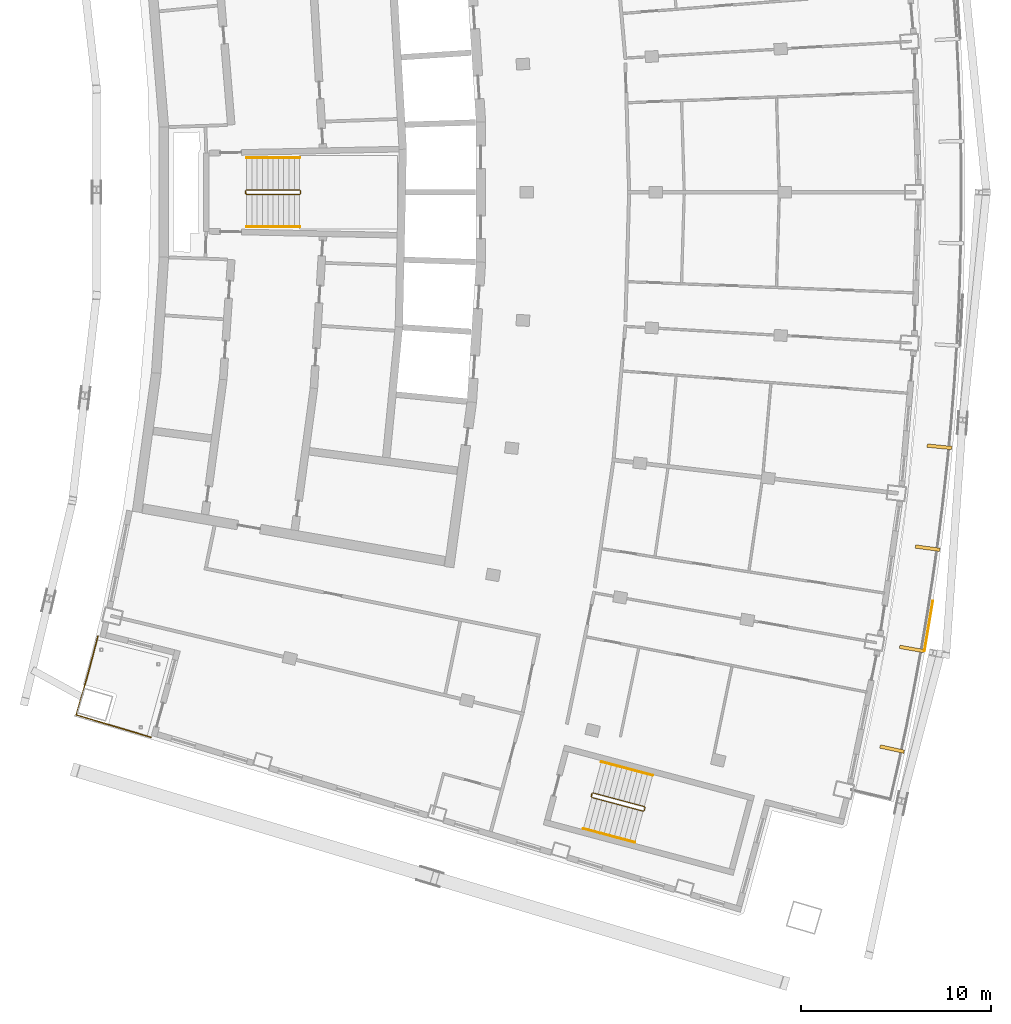
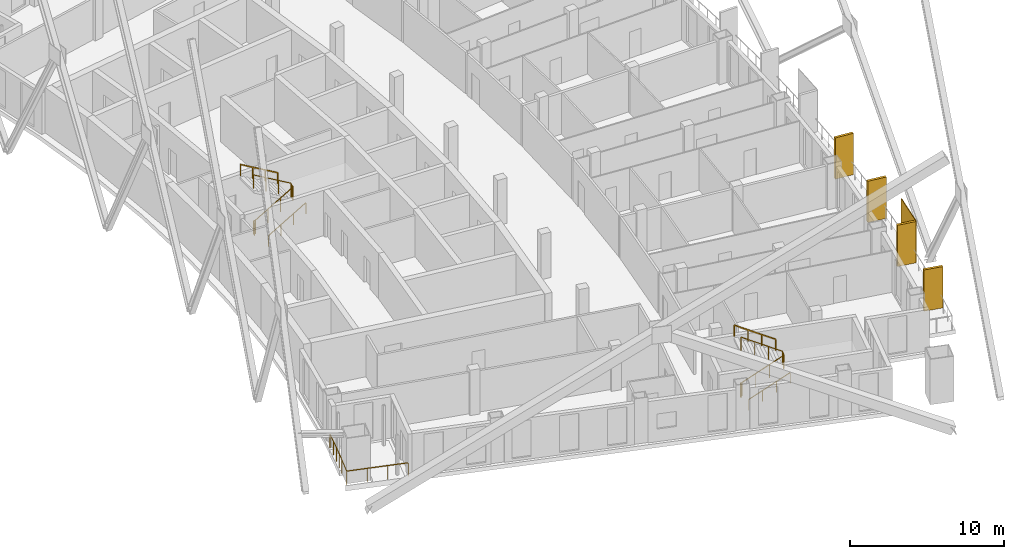
# One storey, part 19 of 21: 7 railings, 5 shading devices.
"""IFC4 building model written with IfcOpenShell, lengths in metres."""

from ifc_helpers import new_model, si_unit, direction, frame, origin, origin_with_axes, origin_2d, place, context, subcontext, project, spatial, rectangle, extrude, material, layer, layer_set, type_object, element, save


model = new_model("IFC4")

# Units and contexts
model_context = context("Model", 3, precision=1e-05, world=origin(), true_north=direction((0.0, 1.0)))
body_context = subcontext(model_context, "Body", "Model", "MODEL_VIEW")
ifc_project = project(units=[si_unit("LENGTHUNIT", "METRE"), si_unit("AREAUNIT", "SQUARE_METRE"), si_unit("VOLUMEUNIT", "CUBIC_METRE"), si_unit("PLANEANGLEUNIT", "RADIAN"), si_unit("MASSUNIT", "GRAM", prefix="KILO")], contexts=[model_context])

# Site, building, storey
site_placement = place(None, origin())
site = spatial("IfcSite", under=ifc_project, at=site_placement, CompositionType="ELEMENT")
building_placement = place(site_placement, origin())
building = spatial("IfcBuilding", under=site, at=building_placement, Name="Alderwake Tower", CompositionType="ELEMENT")
storey_placement = place(building_placement, frame((0.0, 0.0, 267.199951171875)))
storey = spatial("IfcBuildingStorey", under=building, at=storey_placement, Name="L66", CompositionType="ELEMENT", Elevation=267.199951171875)

# Railing
ifc_material_1 = material(Name="Stainless steel 316 rail and posts", Category="steel")
railing_type_1 = type_object("IfcRailingType", Name="Balcony guard 1100", PredefinedType="GUARDRAIL", material=ifc_material_1)
railing_1_placement = place(storey_placement, frame((13.210693359375, 37.612548828125, 0.0)))
element("IfcRailing", 1, at=railing_1_placement, inside=storey, type_object=railing_type_1, Name="Guard terrace RS", PredefinedType="GUARDRAIL", context=body_context, shape_type="SweptSolid", body=[
    extrude(rectangle(XDim=0.048095703125, YDim=0.048095703125, at=origin_2d()), frame((0.0, 0.0, 1.076171875), z_axis=(-0.251385381433, -0.967887075026, 0.0), x_axis=(0.967887075026, -0.251385381433, 0.0)), (0.0, 0.0, 1.0), 1.6015625),
    extrude(rectangle(XDim=0.048095703125, YDim=0.048095703125, at=origin_2d()), frame((-0.402587890625, -1.550048828125, 1.076171875), z_axis=(-0.266520638672, -0.963829211615, 0.0), x_axis=(0.963829211615, -0.266520638672, 0.0)), (0.0, 0.0, 1.0), 1.401611328125),
    extrude(rectangle(XDim=0.048095703125, YDim=0.048095703125, at=origin_2d()), frame((-0.776123046875, -2.90087890625, 1.076171875), z_axis=(-0.280093650878, -0.959972680204, 0.0), x_axis=(0.959972680204, -0.280093650878, 0.0)), (0.0, 0.0, 1.0), 1.30126953125),
    extrude(rectangle(XDim=0.048095703125, YDim=0.048095703125, at=origin_2d()), frame((-1.140625, -4.150146484375, 1.076171875), z_axis=(0.958066871889, -0.286544706789, 0.0), x_axis=(0.286544706789, 0.958066871889, 0.0)), (0.0, 0.0, 1.0), 4.099853515625),
    extrude(rectangle(XDim=0.0419921875, YDim=0.0419921875, at=origin_2d()), frame((0.0, 0.0, 0.0), z_axis=(0.0, 0.0, 1.0), x_axis=(-0.251385381433, -0.967887075026, 0.0)), (0.0, 0.0, 1.0), 1.052001953125),
    extrude(rectangle(XDim=0.0419921875, YDim=0.0419921875, at=origin_2d()), frame((-0.201171875, -0.77490234375, 0.0), z_axis=(0.0, 0.0, 1.0), x_axis=(-0.251385381433, -0.967887075026, 0.0)), (0.0, 0.0, 1.0), 1.052001953125),
    extrude(rectangle(XDim=0.0419921875, YDim=0.0419921875, at=origin_2d()), frame((-0.402587890625, -1.550048828125, 0.0), z_axis=(0.0, 0.0, 1.0), x_axis=(-0.266520638672, -0.963829211615, 0.0)), (0.0, 0.0, 1.0), 1.052001953125),
    extrude(rectangle(XDim=0.0419921875, YDim=0.0419921875, at=origin_2d()), frame((-0.58935546875, -2.2255859375, 0.0), z_axis=(0.0, 0.0, 1.0), x_axis=(-0.266520638672, -0.963829211615, 0.0)), (0.0, 0.0, 1.0), 1.052001953125),
    extrude(rectangle(XDim=0.0419921875, YDim=0.0419921875, at=origin_2d()), frame((-0.776123046875, -2.90087890625, 0.0), z_axis=(0.0, 0.0, 1.0), x_axis=(-0.280093650878, -0.959972680204, 0.0)), (0.0, 0.0, 1.0), 1.052001953125),
    extrude(rectangle(XDim=0.0419921875, YDim=0.0419921875, at=origin_2d()), frame((-1.140625, -4.150146484375, 0.0), z_axis=(0.0, 0.0, 1.0), x_axis=(0.958066871889, -0.286544706789, 0.0)), (0.0, 0.0, 1.0), 1.052001953125),
    extrude(rectangle(XDim=0.0419921875, YDim=0.0419921875, at=origin_2d()), frame((0.168701171875, -4.541748046875, 0.0), z_axis=(0.0, 0.0, 1.0), x_axis=(0.958066871889, -0.286544706789, 0.0)), (0.0, 0.0, 1.0), 1.052001953125),
    extrude(rectangle(XDim=0.0419921875, YDim=0.0419921875, at=origin_2d()), frame((1.47802734375, -4.933349609375, 0.0), z_axis=(0.0, 0.0, 1.0), x_axis=(0.958066871889, -0.286544706789, 0.0)), (0.0, 0.0, 1.0), 1.052001953125),
    extrude(rectangle(XDim=0.0419921875, YDim=0.0419921875, at=origin_2d()), frame((2.787353515625, -5.324951171875, 0.0), z_axis=(0.0, 0.0, 1.0), x_axis=(0.958066871889, -0.286544706789, 0.0)), (0.0, 0.0, 1.0), 1.052001953125),
])

# Shading devices
ifc_material_2 = material(Name="Bronze anodised aluminium", Category="aluminium")
ifc_layer_1 = layer(ifc_material_2, 0.179931640625)
ifc_layer_set_1 = layer_set([ifc_layer_1], Name="Facade fin 1300")
shading_device_type_1 = type_object("IfcShadingDeviceType", Name="Facade fin 1300", PredefinedType="USERDEFINED", material=ifc_layer_set_1)
for number, where, z_axis, x_axis, name in (
    (2, (55.050537109375, 31.663818359375, 0.0), (0.0, 0.0, 1.0), (0.977210363881, -0.212273184185, 0.0), "Fin"),
    (3, (56.089111328125, 36.938232421875, 0.0), (0.0, 0.0, 1.0), (0.984726421654, -0.174108800747, 0.0), "Fin"),
    (4, (56.922119140625, 42.2490234375, 0.0), (0.0, 0.0, 1.0), (0.990752577235, -0.135680988728, 0.0), "Fin"),
    (5, (57.547607421875, 47.588134765625, 0.0), (0.0, 0.0, 1.0), (0.995279882363, -0.097046152751, 0.0), "Fin"),
):
    element("IfcShadingDevice", number, at=place(storey_placement, frame(where, z_axis=z_axis, x_axis=x_axis)), inside=storey, type_object=shading_device_type_1, Name=name, ObjectType="FIN", PredefinedType="USERDEFINED", context=body_context, shape_type="SweptSolid", body=[
        extrude(rectangle(XDim=1.300048828125, YDim=0.179931640625, at=origin_2d()), origin(), (0.0, 0.0, 1.0), 3.280029296875),
    ])
ifc_material_3 = material(Name="Perforated bronze anodised aluminium", Category="aluminium")
ifc_layer_2 = layer(ifc_material_3, 0.050048828125)
ifc_layer_set_2 = layer_set([ifc_layer_2], Name="Perforated screen panel")
shading_device_type_2 = type_object("IfcShadingDeviceType", Name="Perforated screen panel", PredefinedType="USERDEFINED", material=ifc_layer_set_2)
shading_device_placement = place(storey_placement, frame((56.9755859375, 38.1494140625, 0.0), z_axis=(0.0, 0.0, 1.0), x_axis=(0.986369013299, -0.164548380739, 0.0)))
element("IfcShadingDevice", 6, at=shading_device_placement, inside=storey, type_object=shading_device_type_2, Name="Screen panel", ObjectType="SCREEN", PredefinedType="USERDEFINED", context=body_context, shape_type="SweptSolid", body=[
    extrude(rectangle(XDim=0.050048828125, YDim=2.694091796875, at=origin_2d()), origin(), (0.0, 0.0, 1.0), 3.280029296875),
])

# Railings
ifc_material_4 = material(Name="Stainless steel guard", Category="steel")
railing_type_2 = type_object("IfcRailingType", Name="Stair guard 1100", PredefinedType="GUARDRAIL", material=ifc_material_4)
railing_2_placement = place(storey_placement, frame((20.989990234375, 60.925048828125, 0.0)))
element("IfcRailing", 7, at=railing_2_placement, inside=storey, type_object=railing_type_2, Name="L66 ST-B stair guard 1", PredefinedType="GUARDRAIL", context=body_context, shape_type="SweptSolid", body=[
    extrude(rectangle(XDim=0.048095703125, YDim=0.048095703125, at=origin_2d()), frame((0.0, 0.0, 1.076171875), z_axis=(0.0, 1.0, 0.0), x_axis=(-1.0, 0.0, 0.0)), (0.0, 0.0, 1.0), 0.14990234375),
    extrude(rectangle(XDim=0.048095703125, YDim=0.048095703125, at=origin_2d()), frame((0.0, 0.14990234375, 1.076171875), z_axis=(0.190199549216, -0.759870394187, 0.621627795), x_axis=(0.970072785993, 0.242814311512, 0.0)), (0.0, 0.0, 1.0), 0.26318359375),
    extrude(rectangle(XDim=0.048095703125, YDim=0.048095703125, at=origin_2d()), frame((0.050048828125, -0.050048828125, 1.23974609375), z_axis=(0.863360870873, 0.0, 0.504586966384), x_axis=(0.0, 1.0, 0.0)), (0.0, 0.0, 1.0), 3.2431640625),
    extrude(rectangle(XDim=0.048095703125, YDim=0.048095703125, at=origin_2d()), frame((2.85009765625, -0.050048828125, 2.8759765625), z_axis=(0.705375805398, 0.708833529934, 0.0), x_axis=(-0.708833529934, 0.705375805398, 0.0)), (0.0, 0.0, 1.0), 0.070556640625),
    extrude(rectangle(XDim=0.048095703125, YDim=0.048095703125, at=origin_2d()), frame((2.89990234375, 0.0, 2.8759765625), z_axis=(0.0, 1.0, 0.0), x_axis=(-1.0, 0.0, 0.0)), (0.0, 0.0, 1.0), 0.14990234375),
    extrude(rectangle(XDim=0.048095703125, YDim=0.048095703125, at=origin_2d()), frame((2.89990234375, 0.14990234375, 2.8759765625), z_axis=(-0.279546231943, 0.280916556609, 0.91811752648), x_axis=(-0.708833529934, -0.705375805398, 0.0)), (0.0, 0.0, 1.0), 0.17822265625),
    extrude(rectangle(XDim=0.048095703125, YDim=0.048095703125, at=origin_2d()), frame((2.85009765625, 0.199951171875, 3.03955078125), z_axis=(-0.863360870873, 0.0, 0.504586966384), x_axis=(0.0, -1.0, 0.0)), (0.0, 0.0, 1.0), 3.2431640625),
    extrude(rectangle(XDim=0.0419921875, YDim=0.0419921875, at=origin_2d()), frame((0.0, 0.0, 0.0), z_axis=(0.0, 0.0, 1.0), x_axis=(0.0, 1.0, 0.0)), (0.0, 0.0, 1.0), 1.052001953125),
    extrude(rectangle(XDim=0.0419921875, YDim=0.0419921875, at=origin_2d()), frame((0.0, 0.14990234375, 0.0), z_axis=(0.0, 0.0, 1.0), x_axis=(0.242814311512, -0.970072785993, 0.0)), (0.0, 0.0, 1.0), 1.052001953125),
    extrude(rectangle(XDim=0.0419921875, YDim=0.0419921875, at=origin_2d()), frame((0.050048828125, -0.050048828125, 0.16357421875), z_axis=(0.0, 0.0, 1.0), x_axis=(1.0, 0.0, 0.0)), (0.0, 0.0, 1.0), 1.052001953125),
    extrude(rectangle(XDim=0.0419921875, YDim=0.0419921875, at=origin_2d()), frame((0.9833984375, -0.050048828125, 0.708984375), z_axis=(0.0, 0.0, 1.0), x_axis=(1.0, 0.0, 0.0)), (0.0, 0.0, 1.0), 1.052001953125),
    extrude(rectangle(XDim=0.0419921875, YDim=0.0419921875, at=origin_2d()), frame((1.916748046875, -0.050048828125, 1.254638671875), z_axis=(0.0, 0.0, 1.0), x_axis=(1.0, 0.0, 0.0)), (0.0, 0.0, 1.0), 1.052001953125),
    extrude(rectangle(XDim=0.0419921875, YDim=0.0419921875, at=origin_2d()), frame((2.85009765625, -0.050048828125, 1.800048828125), z_axis=(0.0, 0.0, 1.0), x_axis=(0.705375805398, 0.708833529934, 0.0)), (0.0, 0.0, 1.0), 1.052001953125),
    extrude(rectangle(XDim=0.0419921875, YDim=0.0419921875, at=origin_2d()), frame((2.89990234375, 0.0, 1.800048828125), z_axis=(0.0, 0.0, 1.0), x_axis=(0.0, 1.0, 0.0)), (0.0, 0.0, 1.0), 1.052001953125),
    extrude(rectangle(XDim=0.0419921875, YDim=0.0419921875, at=origin_2d()), frame((2.89990234375, 0.14990234375, 1.800048828125), z_axis=(0.0, 0.0, 1.0), x_axis=(-0.705375805398, 0.708833529934, 0.0)), (0.0, 0.0, 1.0), 1.052001953125),
    extrude(rectangle(XDim=0.0419921875, YDim=0.0419921875, at=origin_2d()), frame((2.85009765625, 0.199951171875, 1.963623046875), z_axis=(0.0, 0.0, 1.0), x_axis=(-1.0, 0.0, 0.0)), (0.0, 0.0, 1.0), 1.052001953125),
    extrude(rectangle(XDim=0.0419921875, YDim=0.0419921875, at=origin_2d()), frame((1.916748046875, 0.199951171875, 2.509033203125), z_axis=(0.0, 0.0, 1.0), x_axis=(-1.0, 0.0, 0.0)), (0.0, 0.0, 1.0), 1.052001953125),
    extrude(rectangle(XDim=0.0419921875, YDim=0.0419921875, at=origin_2d()), frame((0.9833984375, 0.199951171875, 3.0546875), z_axis=(0.0, 0.0, 1.0), x_axis=(-1.0, 0.0, 0.0)), (0.0, 0.0, 1.0), 1.052001953125),
    extrude(rectangle(XDim=0.0419921875, YDim=0.0419921875, at=origin_2d()), frame((0.050048828125, 0.199951171875, 3.60009765625), z_axis=(0.0, 0.0, 1.0), x_axis=(-1.0, 0.0, 0.0)), (0.0, 0.0, 1.0), 1.052001953125),
])
railing_3_placement = place(storey_placement, frame((39.1943359375, 29.17431640625, 0.0)))
element("IfcRailing", 8, at=railing_3_placement, inside=storey, type_object=railing_type_2, Name="L66 ST-C stair guard 1", PredefinedType="GUARDRAIL", context=body_context, shape_type="SweptSolid", body=[
    extrude(rectangle(XDim=0.048095703125, YDim=0.048095703125, at=origin_2d()), frame((0.0, 0.0, 1.076171875), z_axis=(0.257459803502, 0.966289009345, 0.0), x_axis=(-0.966289009345, 0.257459803502, 0.0)), (0.0, 0.0, 1.0), 0.14990234375),
    extrude(rectangle(XDim=0.048095703125, YDim=0.048095703125, at=origin_2d()), frame((0.03857421875, 0.144775390625, 1.076171875), z_axis=(-0.012062893862, -0.783160186125, 0.621702991355), x_axis=(0.999881397308, -0.015401016783, 0.0)), (0.0, 0.0, 1.0), 0.26318359375),
    extrude(rectangle(XDim=0.048095703125, YDim=0.048095703125, at=origin_2d()), frame((0.035400390625, -0.061279296875, 1.23974609375), z_axis=(0.834281824786, -0.222214197128, 0.504573768072), x_axis=(0.257380452725, 0.966310148221, 0.0)), (0.0, 0.0, 1.0), 3.2431640625),
    extrude(rectangle(XDim=0.048095703125, YDim=0.048095703125, at=origin_2d()), frame((2.7412109375, -0.781982421875, 2.8759765625), z_axis=(0.865031189262, 0.501718089772, 0.0), x_axis=(-0.501718089772, 0.865031189262, 0.0)), (0.0, 0.0, 1.0), 0.070556640625),
    extrude(rectangle(XDim=0.048095703125, YDim=0.048095703125, at=origin_2d()), frame((2.80224609375, -0.74658203125, 2.8759765625), z_axis=(0.257055032184, 0.966396766566, 0.0), x_axis=(-0.966396766566, 0.257055032184, 0.0)), (0.0, 0.0, 1.0), 0.150146484375),
    extrude(rectangle(XDim=0.048095703125, YDim=0.048095703125, at=origin_2d()), frame((2.8408203125, -0.6015625, 2.8759765625), z_axis=(-0.198625291617, 0.343827228937, 0.91778583023), x_axis=(-0.865898279276, -0.500220121494, 0.0)), (0.0, 0.0, 1.0), 0.17822265625),
    extrude(rectangle(XDim=0.048095703125, YDim=0.048095703125, at=origin_2d()), frame((2.805419921875, -0.540283203125, 3.03955078125), z_axis=(-0.834258940753, 0.22222815314, 0.504605457487), x_axis=(-0.257402139082, -0.966304371715, 0.0)), (0.0, 0.0, 1.0), 3.2431640625),
    extrude(rectangle(XDim=0.0419921875, YDim=0.0419921875, at=origin_2d()), frame((0.0, 0.0, 0.0), z_axis=(0.0, 0.0, 1.0), x_axis=(0.257459803502, 0.966289009345, 0.0)), (0.0, 0.0, 1.0), 1.052001953125),
    extrude(rectangle(XDim=0.0419921875, YDim=0.0419921875, at=origin_2d()), frame((0.03857421875, 0.144775390625, 0.0), z_axis=(0.0, 0.0, 1.0), x_axis=(-0.015401016783, -0.999881397308, 0.0)), (0.0, 0.0, 1.0), 1.052001953125),
    extrude(rectangle(XDim=0.0419921875, YDim=0.0419921875, at=origin_2d()), frame((0.035400390625, -0.061279296875, 0.16357421875), z_axis=(0.0, 0.0, 1.0), x_axis=(0.966310148221, -0.257380452725, 0.0)), (0.0, 0.0, 1.0), 1.052001953125),
    extrude(rectangle(XDim=0.0419921875, YDim=0.0419921875, at=origin_2d()), frame((0.937255859375, -0.301513671875, 0.708984375), z_axis=(0.0, 0.0, 1.0), x_axis=(0.966310148221, -0.257380452725, 0.0)), (0.0, 0.0, 1.0), 1.052001953125),
    extrude(rectangle(XDim=0.0419921875, YDim=0.0419921875, at=origin_2d()), frame((1.83935546875, -0.541748046875, 1.254638671875), z_axis=(0.0, 0.0, 1.0), x_axis=(0.966310148221, -0.257380452725, 0.0)), (0.0, 0.0, 1.0), 1.052001953125),
    extrude(rectangle(XDim=0.0419921875, YDim=0.0419921875, at=origin_2d()), frame((2.7412109375, -0.781982421875, 1.800048828125), z_axis=(0.0, 0.0, 1.0), x_axis=(0.865031189262, 0.501718089772, 0.0)), (0.0, 0.0, 1.0), 1.052001953125),
    extrude(rectangle(XDim=0.0419921875, YDim=0.0419921875, at=origin_2d()), frame((2.80224609375, -0.74658203125, 1.800048828125), z_axis=(0.0, 0.0, 1.0), x_axis=(0.257055032184, 0.966396766566, 0.0)), (0.0, 0.0, 1.0), 1.052001953125),
    extrude(rectangle(XDim=0.0419921875, YDim=0.0419921875, at=origin_2d()), frame((2.8408203125, -0.6015625, 1.800048828125), z_axis=(0.0, 0.0, 1.0), x_axis=(-0.500220121494, 0.865898279276, 0.0)), (0.0, 0.0, 1.0), 1.052001953125),
    extrude(rectangle(XDim=0.0419921875, YDim=0.0419921875, at=origin_2d()), frame((2.805419921875, -0.540283203125, 1.963623046875), z_axis=(0.0, 0.0, 1.0), x_axis=(-0.966304371715, 0.257402139082, 0.0)), (0.0, 0.0, 1.0), 1.052001953125),
    extrude(rectangle(XDim=0.0419921875, YDim=0.0419921875, at=origin_2d()), frame((1.903564453125, -0.300048828125, 2.509033203125), z_axis=(0.0, 0.0, 1.0), x_axis=(-0.966304371715, 0.257402139082, 0.0)), (0.0, 0.0, 1.0), 1.052001953125),
    extrude(rectangle(XDim=0.0419921875, YDim=0.0419921875, at=origin_2d()), frame((1.001708984375, -0.059814453125, 3.0546875), z_axis=(0.0, 0.0, 1.0), x_axis=(-0.966304371715, 0.257402139082, 0.0)), (0.0, 0.0, 1.0), 1.052001953125),
    extrude(rectangle(XDim=0.0419921875, YDim=0.0419921875, at=origin_2d()), frame((0.099853515625, 0.180419921875, 3.60009765625), z_axis=(0.0, 0.0, 1.0), x_axis=(-0.966304371715, 0.257402139082, 0.0)), (0.0, 0.0, 1.0), 1.052001953125),
])
ifc_material_5 = material(Name="Stainless steel handrail", Category="steel")
railing_type_3 = type_object("IfcRailingType", Name="Stair handrail 900", PredefinedType="HANDRAIL", material=ifc_material_5)
railing_4_placement = place(storey_placement, frame((21.0400390625, 59.175048828125, 0.16357421875)))
element("IfcRailing", 9, at=railing_4_placement, inside=storey, type_object=railing_type_3, Name="L66 ST-B stair handrail 1", PredefinedType="HANDRAIL", context=body_context, shape_type="SweptSolid", body=[
    extrude(rectangle(XDim=0.048095703125, YDim=0.048095703125, at=origin_2d()), frame((0.0, 0.0, 0.8759765625), z_axis=(0.863360870873, 0.0, 0.504586966384), x_axis=(0.0, 1.0, 0.0)), (0.0, 0.0, 1.0), 3.2431640625),
    extrude(rectangle(XDim=0.0419921875, YDim=0.0419921875, at=origin_2d()), origin_with_axes(), (0.0, 0.0, 1.0), 0.851806640625),
    extrude(rectangle(XDim=0.0419921875, YDim=0.0419921875, at=origin_2d()), frame((0.933349609375, 0.0, 0.54541015625), z_axis=(0.0, 0.0, 1.0), x_axis=(1.0, 0.0, 0.0)), (0.0, 0.0, 1.0), 0.851806640625),
    extrude(rectangle(XDim=0.0419921875, YDim=0.0419921875, at=origin_2d()), frame((1.86669921875, 0.0, 1.091064453125), z_axis=(0.0, 0.0, 1.0), x_axis=(1.0, 0.0, 0.0)), (0.0, 0.0, 1.0), 0.851806640625),
    extrude(rectangle(XDim=0.0419921875, YDim=0.0419921875, at=origin_2d()), frame((2.800048828125, 0.0, 1.636474609375), z_axis=(0.0, 0.0, 1.0), x_axis=(1.0, 0.0, 0.0)), (0.0, 0.0, 1.0), 0.851806640625),
])
railing_5_placement = place(storey_placement, frame((23.840087890625, 62.824951171875, 1.963623046875)))
element("IfcRailing", 10, at=railing_5_placement, inside=storey, type_object=railing_type_3, Name="L66 ST-B stair handrail 2", PredefinedType="HANDRAIL", context=body_context, shape_type="SweptSolid", body=[
    extrude(rectangle(XDim=0.048095703125, YDim=0.048095703125, at=origin_2d()), frame((0.0, 0.0, 0.8759765625), z_axis=(-0.863360870873, 0.0, 0.504586966384), x_axis=(0.0, -1.0, 0.0)), (0.0, 0.0, 1.0), 3.2431640625),
    extrude(rectangle(XDim=0.0419921875, YDim=0.0419921875, at=origin_2d()), frame((0.0, 0.0, 0.0), z_axis=(0.0, 0.0, 1.0), x_axis=(-1.0, 0.0, 0.0)), (0.0, 0.0, 1.0), 0.851806640625),
    extrude(rectangle(XDim=0.0419921875, YDim=0.0419921875, at=origin_2d()), frame((-0.933349609375, 0.0, 0.54541015625), z_axis=(0.0, 0.0, 1.0), x_axis=(-1.0, 0.0, 0.0)), (0.0, 0.0, 1.0), 0.851806640625),
    extrude(rectangle(XDim=0.0419921875, YDim=0.0419921875, at=origin_2d()), frame((-1.86669921875, 0.0, 1.091064453125), z_axis=(0.0, 0.0, 1.0), x_axis=(-1.0, 0.0, 0.0)), (0.0, 0.0, 1.0), 0.851806640625),
    extrude(rectangle(XDim=0.0419921875, YDim=0.0419921875, at=origin_2d()), frame((-2.800048828125, 0.0, 1.636474609375), z_axis=(0.0, 0.0, 1.0), x_axis=(-1.0, 0.0, 0.0)), (0.0, 0.0, 1.0), 0.851806640625),
])
railing_6_placement = place(storey_placement, frame((38.792236328125, 27.47021484375, 0.16357421875)))
element("IfcRailing", 11, at=railing_6_placement, inside=storey, type_object=railing_type_3, Name="L66 ST-C stair handrail 1", PredefinedType="HANDRAIL", context=body_context, shape_type="SweptSolid", body=[
    extrude(rectangle(XDim=0.048095703125, YDim=0.048095703125, at=origin_2d()), frame((0.0, 0.0, 0.8759765625), z_axis=(0.834272895437, -0.222156588561, 0.504613898043), x_axis=(0.25732071773, 0.966326056891, 0.0)), (0.0, 0.0, 1.0), 3.242919921875),
    extrude(rectangle(XDim=0.0419921875, YDim=0.0419921875, at=origin_2d()), frame((0.0, 0.0, 0.0), z_axis=(0.0, 0.0, 1.0), x_axis=(0.966326056891, -0.25732071773, 0.0)), (0.0, 0.0, 1.0), 0.851806640625),
    extrude(rectangle(XDim=0.0419921875, YDim=0.0419921875, at=origin_2d()), frame((0.90185546875, -0.240234375, 0.54541015625), z_axis=(0.0, 0.0, 1.0), x_axis=(0.966326056891, -0.25732071773, 0.0)), (0.0, 0.0, 1.0), 0.851806640625),
    extrude(rectangle(XDim=0.0419921875, YDim=0.0419921875, at=origin_2d()), frame((1.8037109375, -0.480224609375, 1.091064453125), z_axis=(0.0, 0.0, 1.0), x_axis=(0.966326056891, -0.25732071773, 0.0)), (0.0, 0.0, 1.0), 0.851806640625),
    extrude(rectangle(XDim=0.0419921875, YDim=0.0419921875, at=origin_2d()), frame((2.70556640625, -0.720458984375, 1.636474609375), z_axis=(0.0, 0.0, 1.0), x_axis=(0.966326056891, -0.25732071773, 0.0)), (0.0, 0.0, 1.0), 0.851806640625),
])
railing_7_placement = place(storey_placement, frame((42.437255859375, 30.276611328125, 1.963623046875)))
element("IfcRailing", 12, at=railing_7_placement, inside=storey, type_object=railing_type_3, Name="L66 ST-C stair handrail 2", PredefinedType="HANDRAIL", context=body_context, shape_type="SweptSolid", body=[
    extrude(rectangle(XDim=0.048095703125, YDim=0.048095703125, at=origin_2d()), frame((0.0, 0.0, 0.8759765625), z_axis=(-0.834258940753, 0.22222815314, 0.504605457487), x_axis=(-0.257402139082, -0.966304371715, 0.0)), (0.0, 0.0, 1.0), 3.2431640625),
    extrude(rectangle(XDim=0.0419921875, YDim=0.0419921875, at=origin_2d()), frame((0.0, 0.0, 0.0), z_axis=(0.0, 0.0, 1.0), x_axis=(-0.966304371715, 0.257402139082, 0.0)), (0.0, 0.0, 1.0), 0.851806640625),
    extrude(rectangle(XDim=0.0419921875, YDim=0.0419921875, at=origin_2d()), frame((-0.90185546875, 0.240234375, 0.54541015625), z_axis=(0.0, 0.0, 1.0), x_axis=(-0.966304371715, 0.257402139082, 0.0)), (0.0, 0.0, 1.0), 0.851806640625),
    extrude(rectangle(XDim=0.0419921875, YDim=0.0419921875, at=origin_2d()), frame((-1.8037109375, 0.48046875, 1.091064453125), z_axis=(0.0, 0.0, 1.0), x_axis=(-0.966304371715, 0.257402139082, 0.0)), (0.0, 0.0, 1.0), 0.851806640625),
    extrude(rectangle(XDim=0.0419921875, YDim=0.0419921875, at=origin_2d()), frame((-2.70556640625, 0.720703125, 1.636474609375), z_axis=(0.0, 0.0, 1.0), x_axis=(-0.966304371715, 0.257402139082, 0.0)), (0.0, 0.0, 1.0), 0.851806640625),
])

save(model, "model.ifc")
